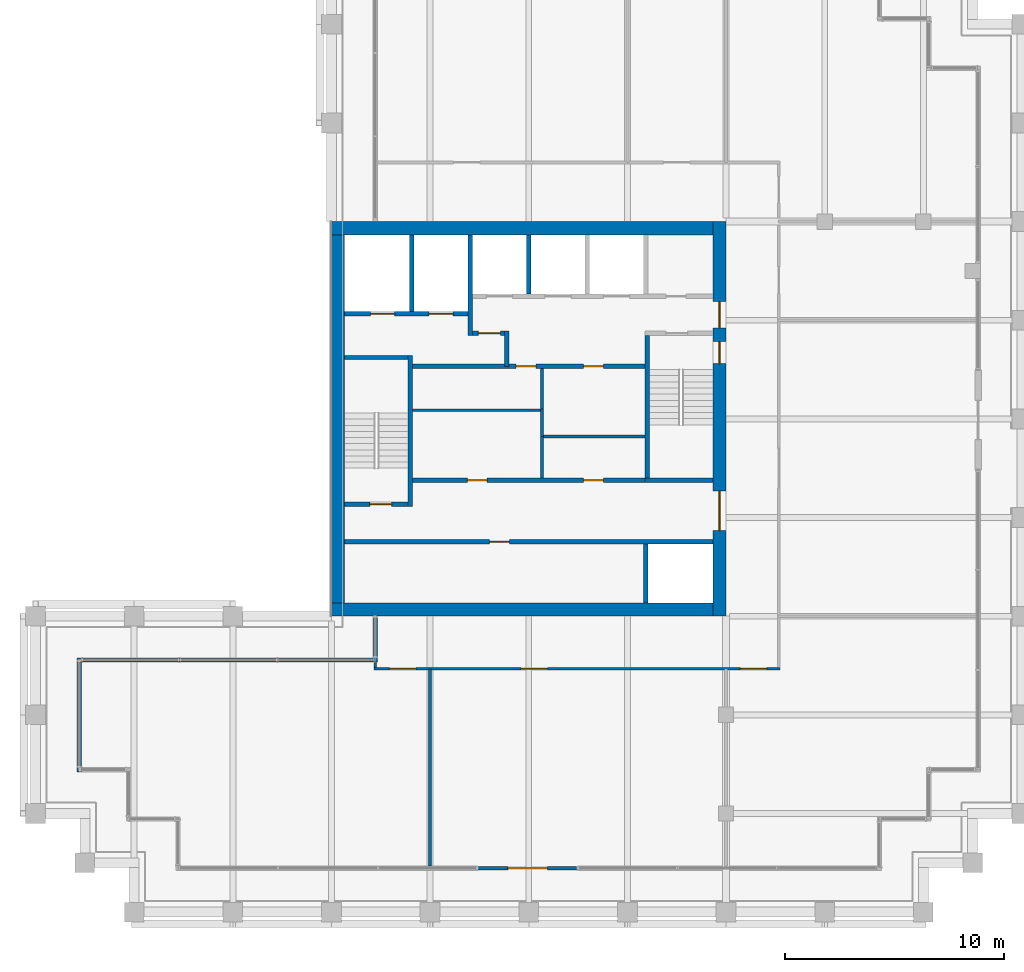
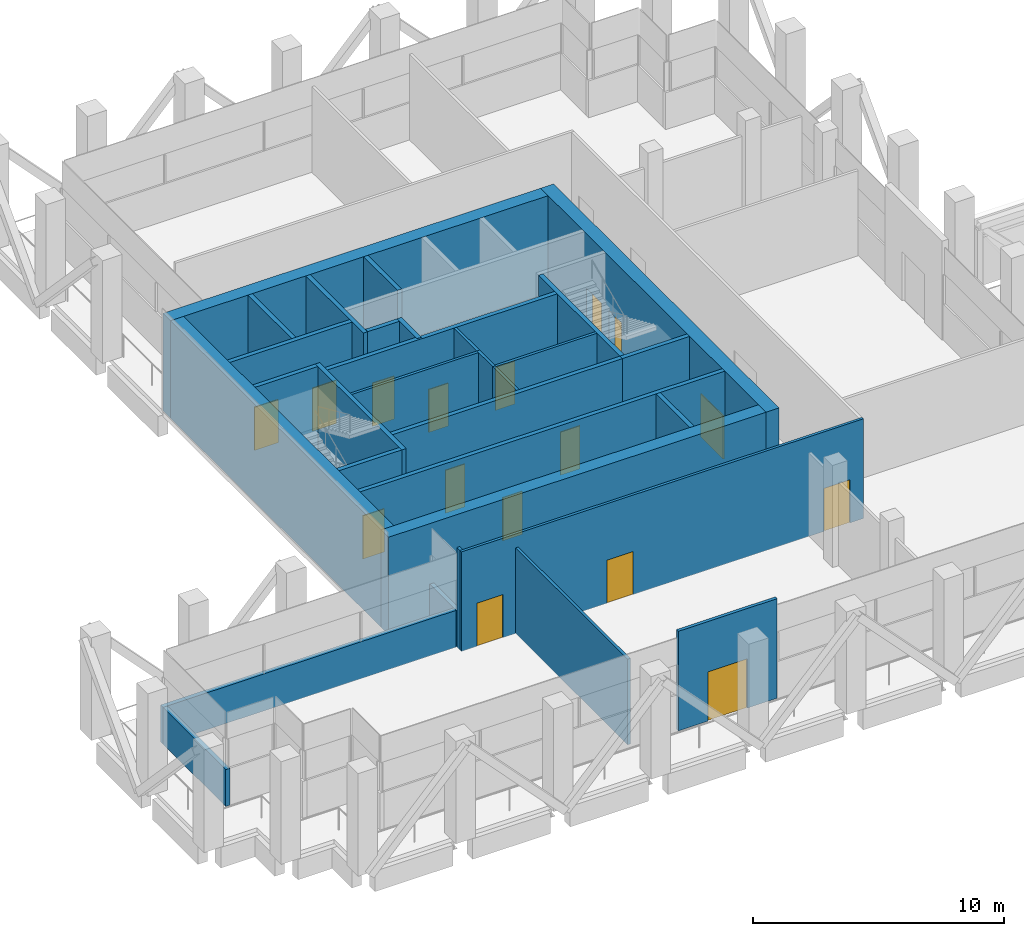
# One storey, part 28 of 34: 31 walls, 16 doors, 16 openings.
"""IFC4 building model written with IfcOpenShell, lengths in metres."""

from ifc_helpers import new_model, si_unit, direction, frame, frame_2d, origin, place, context, subcontext, project, spatial, rectangle, extrude, material, layer, layer_set, type_object, element, fill, save


model = new_model("IFC4")

# Units and contexts
model_context = context("Model", 3, precision=1e-05, world=origin(), true_north=direction((0.0, 1.0)))
body_context = subcontext(model_context, "Body", "Model", "MODEL_VIEW")
ifc_project = project(units=[si_unit("LENGTHUNIT", "METRE"), si_unit("AREAUNIT", "SQUARE_METRE"), si_unit("VOLUMEUNIT", "CUBIC_METRE"), si_unit("PLANEANGLEUNIT", "RADIAN"), si_unit("MASSUNIT", "GRAM", prefix="KILO")], contexts=[model_context])

# Site, building, storey
site_placement = place(None, origin())
site = spatial("IfcSite", under=ifc_project, at=site_placement, CompositionType="ELEMENT")
building_placement = place(site_placement, origin())
building = spatial("IfcBuilding", under=site, at=building_placement, Name="Altepetl Exchange Towers", CompositionType="ELEMENT")
storey_placement = place(building_placement, frame((0.0, 0.0, 190.60009765625)))
storey = spatial("IfcBuildingStorey", under=building, at=storey_placement, Name="L48 Refuge", CompositionType="ELEMENT", Elevation=190.60009765625)

# Wall, openings, doors
ifc_material_1 = material(Name="Concrete C70/85", Category="concrete")
ifc_layer_1 = layer(ifc_material_1, 0.60009765625)
ifc_layer_set_1 = layer_set([ifc_layer_1], Name="Concrete C70/85")
wall_type_1 = type_object("IfcWallType", Name="Core wall 600 reinforced concrete", PredefinedType="SHEAR", material=ifc_layer_set_1)
wall_1_placement = place(storey_placement, frame((58.199951171875, 40.5, 0.0), z_axis=(0.0, 0.0, 1.0), x_axis=(0.0, 1.0, 0.0)))
wall_1 = element("IfcWall", 1, at=wall_1_placement, inside=storey, type_object=wall_type_1, Name="wall:A:L48:K-coreE", PredefinedType="SHEAR", context=body_context, shape_type="SweptSolid", body=[
    extrude(rectangle(XDim=18.0, YDim=0.60009765625, at=frame_2d((9.0, 0.0))), origin(), (0.0, 0.0, 1.0), 4.75),
])
opening_1_placement = place(wall_1_placement, frame((13.14990234375, 0.0, 0.0)))
opening_1 = element("IfcOpeningElement", 2, at=opening_1_placement, cuts=wall_1, Name="Opening L48.A60", PredefinedType="OPENING", context=body_context, shape_type="SweptSolid", body=[
    extrude(rectangle(XDim=1.199951171875, YDim=2.10009765625, at=frame_2d((0.60009765625, 1.050048828125))), frame((0.0, 0.31005859375, 0.0), z_axis=(0.0, -1.0, 0.0), x_axis=(1.0, 0.0, 0.0)), (0.0, 0.0, 1.0), 0.6201171875),
])
opening_2_placement = place(wall_1_placement, frame((3.89990234375, 0.0, 0.0)))
opening_2 = element("IfcOpeningElement", 3, at=opening_2_placement, cuts=wall_1, Name="Opening L48.A61", PredefinedType="OPENING", context=body_context, shape_type="SweptSolid", body=[
    extrude(rectangle(XDim=1.800048828125, YDim=2.10009765625, at=frame_2d((0.89990234375, 1.050048828125))), frame((0.0, 0.31005859375, 0.0), z_axis=(0.0, -1.0, 0.0), x_axis=(1.0, 0.0, 0.0)), (0.0, 0.0, 1.0), 0.6201171875),
])
opening_3_placement = place(wall_1_placement, frame((11.52490234375, 0.0, 0.0)))
opening_3 = element("IfcOpeningElement", 4, at=opening_3_placement, cuts=wall_1, Name="Opening L48.A64", PredefinedType="OPENING", context=body_context, shape_type="SweptSolid", body=[
    extrude(rectangle(XDim=1.0, YDim=2.10009765625, at=frame_2d((0.5, 1.050048828125))), frame((0.0, 0.31005859375, 0.0), z_axis=(0.0, -1.0, 0.0), x_axis=(1.0, 0.0, 0.0)), (0.0, 0.0, 1.0), 0.6201171875),
])
ifc_material_2 = material(Name="Steel and timber fire door", Category="steel")
door_type_1 = type_object("IfcDoorType", Name="Fire door 1000 x 2100 stair and lobby", OperationType="SINGLE_SWING_LEFT", PredefinedType="DOOR", material=ifc_material_2)
door_1_placement = place(opening_3_placement, origin())
door_1 = element("IfcDoor", 5, at=door_1_placement, inside=storey, type_object=door_type_1, Name="door:A:L48:K-dS2x", OperationType="SINGLE_SWING_RIGHT", OverallHeight=2.10009765625, OverallWidth=1.0, PredefinedType="DOOR", context=body_context, shape_type="SweptSolid", body=[
    extrude(rectangle(XDim=1.0, YDim=2.10009765625, at=frame_2d((0.5, 1.050048828125))), frame((0.0, 0.02490234375, 0.0), z_axis=(0.0, -1.0, 0.0), x_axis=(1.0, 0.0, 0.0)), (0.0, 0.0, 1.0), 0.050048828125),
])
fill(opening_3, door_1)
door_type_2 = type_object("IfcDoorType", Name="Fire door 1200 x 2100 lobby entry", OperationType="SINGLE_SWING_LEFT", PredefinedType="DOOR", material=ifc_material_2)
door_2_placement = place(opening_1_placement, origin())
door_2 = element("IfcDoor", 6, at=door_2_placement, inside=storey, type_object=door_type_2, Name="door:A:L48:K-dLNE", OperationType="SINGLE_SWING_RIGHT", OverallHeight=2.10009765625, OverallWidth=1.199951171875, PredefinedType="DOOR", context=body_context, shape_type="SweptSolid", body=[
    extrude(rectangle(XDim=1.199951171875, YDim=2.10009765625, at=frame_2d((0.60009765625, 1.050048828125))), frame((0.0, 0.02490234375, 0.0), z_axis=(0.0, -1.0, 0.0), x_axis=(1.0, 0.0, 0.0)), (0.0, 0.0, 1.0), 0.050048828125),
])
fill(opening_1, door_2)
door_type_3 = type_object("IfcDoorType", Name="Fire door 1800 x 2100 lobby entry", OperationType="DOUBLE_DOOR_SINGLE_SWING", PredefinedType="DOOR", material=ifc_material_2)
door_3_placement = place(opening_2_placement, origin())
door_3 = element("IfcDoor", 7, at=door_3_placement, inside=storey, type_object=door_type_3, Name="door:A:L48:K-dLSE", OperationType="DOUBLE_DOOR_SINGLE_SWING", OverallHeight=2.10009765625, OverallWidth=1.800048828125, PredefinedType="DOOR", context=body_context, shape_type="SweptSolid", body=[
    extrude(rectangle(XDim=1.800048828125, YDim=2.10009765625, at=frame_2d((0.89990234375, 1.050048828125))), frame((0.0, 0.02490234375, 0.0), z_axis=(0.0, -1.0, 0.0), x_axis=(1.0, 0.0, 0.0)), (0.0, 0.0, 1.0), 0.050048828125),
])
fill(opening_2, door_3)

# Walls
for number, where, name in (
    (8, (40.5, 58.199951171875, 0.0), "wall:A:L48:K-coreN"),
    (9, (40.5, 40.800048828125, 0.0), "wall:A:L48:K-coreS"),
):
    element("IfcWall", number, at=place(storey_placement, frame(where)), inside=storey, type_object=wall_type_1, Name=name, PredefinedType="SHEAR", context=body_context, shape_type="SweptSolid", body=[
        extrude(rectangle(XDim=17.39990234375, YDim=0.60009765625, at=frame_2d((8.699951171875, 0.0))), origin(), (0.0, 0.0, 1.0), 4.75),
    ])
ifc_layer_2 = layer(ifc_material_1, 0.60009765625)
ifc_layer_set_2 = layer_set([ifc_layer_2], Name="Concrete C70/85")
wall_type_2 = type_object("IfcWallType", Name="Core wall 600 reinforced concrete external", PredefinedType="SHEAR", material=ifc_layer_set_2)
wall_2_placement = place(storey_placement, frame((40.800048828125, 41.10009765625, 0.0), z_axis=(0.0, 0.0, 1.0), x_axis=(0.0, 1.0, 0.0)))
element("IfcWall", 10, at=wall_2_placement, inside=storey, type_object=wall_type_2, Name="wall:A:L48:K-coreW", PredefinedType="SHEAR", context=body_context, shape_type="SweptSolid", body=[
    extrude(rectangle(XDim=16.7998046875, YDim=0.60009765625, at=frame_2d((8.39990234375, 0.0))), origin(), (0.0, 0.0, 1.0), 4.75),
])

# Wall, opening, door
ifc_material_3 = material(Name="Aluminium composite cladding", Category="aluminium")
ifc_layer_3 = layer(ifc_material_3, 0.14990234375)
ifc_layer_set_3 = layer_set([ifc_layer_3], Name="Aluminium composite cladding")
wall_type_3 = type_object("IfcWallType", Name="Infill wall 150 aluminium panel", PredefinedType="SOLIDWALL", material=ifc_layer_set_3)
wall_3_placement = place(storey_placement, frame((47.17138671875, 29.0, 0.0)))
wall_3 = element("IfcWall", 11, at=wall_3_placement, inside=storey, type_object=wall_type_3, Name="Loggia door bay wall", PredefinedType="SOLIDWALL", context=body_context, shape_type="SweptSolid", body=[
    extrude(rectangle(XDim=4.55712890625, YDim=0.14990234375, at=frame_2d((2.278564453125, 0.0))), origin(), (0.0, 0.0, 1.0), 4.849853515625),
])
opening_4_placement = place(wall_3_placement, frame((1.378662109375, 0.0, 0.0)))
opening_4 = element("IfcOpeningElement", 12, at=opening_4_placement, cuts=wall_3, Name="Opening L48.A90", PredefinedType="OPENING", context=body_context, shape_type="SweptSolid", body=[
    extrude(rectangle(XDim=1.800048828125, YDim=2.39990234375, at=frame_2d((0.89990234375, 1.199951171875))), frame((0.0, 0.0849609375, 0.0), z_axis=(0.0, -1.0, 0.0), x_axis=(1.0, 0.0, 0.0)), (0.0, 0.0, 1.0), 0.169921875),
])
ifc_material_4 = material(Name="Aluminium 6063-T6 and glass", Category="aluminium")
door_type_4 = type_object("IfcDoorType", Name="Glazed door pair 1800x2400", OperationType="DOUBLE_DOOR_DOUBLE_SWING", PredefinedType="NOTDEFINED", material=ifc_material_4)
door_4_placement = place(opening_4_placement, frame((1.800048828125, 0.0, 0.0), x_axis=(-1.0, 0.0, 0.0)))
door_4 = element("IfcDoor", 13, at=door_4_placement, inside=storey, type_object=door_type_4, Name="Loggia door", OperationType="DOUBLE_DOOR_DOUBLE_SWING", OverallHeight=2.39990234375, OverallWidth=1.800048828125, PredefinedType="NOTDEFINED", context=body_context, shape_type="SweptSolid", body=[
    extrude(rectangle(XDim=1.800048828125, YDim=2.39990234375, at=frame_2d((0.89990234375, 1.199951171875))), frame((0.0, 0.02490234375, 0.0), z_axis=(0.0, -1.0, 0.0), x_axis=(1.0, 0.0, 0.0)), (0.0, 0.0, 1.0), 0.050048828125),
])
fill(opening_4, door_4)

# Wall
ifc_material_5 = material(Name="Concrete blockwork", Category="masonry")
ifc_layer_4 = layer(ifc_material_5, 0.199951171875)
ifc_layer_set_4 = layer_set([ifc_layer_4], Name="Concrete blockwork")
wall_type_4 = type_object("IfcWallType", Name="Lobby wall 200 blockwork", PredefinedType="PARTITIONING", material=ifc_layer_set_4)
wall_4_placement = place(storey_placement, frame((48.5, 51.89990234375, 0.0), z_axis=(0.0, 0.0, 1.0), x_axis=(0.0, 1.0, 0.0)))
element("IfcWall", 14, at=wall_4_placement, inside=storey, type_object=wall_type_4, Name="wall:A:L48:K-ffE", PredefinedType="PARTITIONING", context=body_context, shape_type="SweptSolid", body=[
    extrude(rectangle(XDim=1.60009765625, YDim=0.199951171875, at=frame_2d((0.800048828125, 0.0))), origin(), (0.0, 0.0, 1.0), 4.75),
])

# Wall, opening, door
wall_5_placement = place(storey_placement, frame((46.933349609375, 53.39990234375, 0.0)))
wall_5 = element("IfcWall", 15, at=wall_5_placement, inside=storey, type_object=wall_type_4, Name="wall:A:L48:K-ffN", PredefinedType="PARTITIONING", context=body_context, shape_type="SweptSolid", body=[
    extrude(rectangle(XDim=1.466552734375, YDim=0.199951171875, at=frame_2d((0.7333984375, 0.0))), origin(), (0.0, 0.0, 1.0), 4.75),
])
opening_5_placement = place(wall_5_placement, frame((0.2666015625, 0.0, 0.0)))
opening_5 = element("IfcOpeningElement", 16, at=opening_5_placement, cuts=wall_5, Name="Opening L48.A65", PredefinedType="OPENING", context=body_context, shape_type="SweptSolid", body=[
    extrude(rectangle(XDim=1.0, YDim=2.10009765625, at=frame_2d((0.5, 1.050048828125))), frame((0.0, 0.10986328125, 0.0), z_axis=(0.0, -1.0, 0.0), x_axis=(1.0, 0.0, 0.0)), (0.0, 0.0, 1.0), 0.219970703125),
])
door_5_placement = place(opening_5_placement, frame((1.0, 0.0, 0.0), x_axis=(-1.0, 0.0, 0.0)))
door_5 = element("IfcDoor", 17, at=door_5_placement, inside=storey, type_object=door_type_1, Name="door:A:L48:K-dffN", OperationType="SINGLE_SWING_RIGHT", OverallHeight=2.10009765625, OverallWidth=1.0, PredefinedType="DOOR", context=body_context, shape_type="SweptSolid", body=[
    extrude(rectangle(XDim=1.0, YDim=2.10009765625, at=frame_2d((0.5, 1.050048828125))), frame((0.0, 0.02490234375, 0.0), z_axis=(0.0, -1.0, 0.0), x_axis=(1.0, 0.0, 0.0)), (0.0, 0.0, 1.0), 0.050048828125),
])
fill(opening_5, door_5)

# Wall, openings, doors
wall_6_placement = place(storey_placement, frame((44.199951171875, 51.89990234375, 0.0)))
wall_6 = element("IfcWall", 18, at=wall_6_placement, inside=storey, type_object=wall_type_4, Name="wall:A:L48:K-zoneN", PredefinedType="PARTITIONING", context=body_context, shape_type="SweptSolid", body=[
    extrude(rectangle(XDim=10.60009765625, YDim=0.199951171875, at=frame_2d((5.300048828125, 0.0))), origin(), (0.0, 0.0, 1.0), 4.75),
])
opening_6_placement = place(wall_6_placement, frame((4.72509765625, 0.0, 0.0)))
opening_6 = element("IfcOpeningElement", 19, at=opening_6_placement, cuts=wall_6, Name="Opening L48.A69", PredefinedType="OPENING", context=body_context, shape_type="SweptSolid", body=[
    extrude(rectangle(XDim=0.89990234375, YDim=2.10009765625, at=frame_2d((0.449951171875, 1.050048828125))), frame((0.0, 0.10986328125, 0.0), z_axis=(0.0, -1.0, 0.0), x_axis=(1.0, 0.0, 0.0)), (0.0, 0.0, 1.0), 0.219970703125),
])
opening_7_placement = place(wall_6_placement, frame((7.800048828125, 0.0, 0.0)))
opening_7 = element("IfcOpeningElement", 20, at=opening_7_placement, cuts=wall_6, Name="Opening L48.A71", PredefinedType="OPENING", context=body_context, shape_type="SweptSolid", body=[
    extrude(rectangle(XDim=0.89990234375, YDim=2.10009765625, at=frame_2d((0.449951171875, 1.050048828125))), frame((0.0, 0.10986328125, 0.0), z_axis=(0.0, -1.0, 0.0), x_axis=(1.0, 0.0, 0.0)), (0.0, 0.0, 1.0), 0.219970703125),
])
door_type_5 = type_object("IfcDoorType", Name="Fire door 900 x 2100 service room", OperationType="SINGLE_SWING_LEFT", PredefinedType="DOOR", material=ifc_material_2)
door_6_placement = place(opening_6_placement, frame((0.89990234375, 0.0, 0.0), x_axis=(-1.0, 0.0, 0.0)))
door_6 = element("IfcDoor", 21, at=door_6_placement, inside=storey, type_object=door_type_5, Name="door:A:L48:K-dz2", OperationType="SINGLE_SWING_RIGHT", OverallHeight=2.10009765625, OverallWidth=0.89990234375, PredefinedType="DOOR", context=body_context, shape_type="SweptSolid", body=[
    extrude(rectangle(XDim=0.89990234375, YDim=2.10009765625, at=frame_2d((0.449951171875, 1.050048828125))), frame((0.0, 0.02490234375, 0.0), z_axis=(0.0, -1.0, 0.0), x_axis=(1.0, 0.0, 0.0)), (0.0, 0.0, 1.0), 0.050048828125),
])
fill(opening_6, door_6)
door_7_placement = place(opening_7_placement, frame((0.89990234375, 0.0, 0.0), x_axis=(-1.0, 0.0, 0.0)))
door_7 = element("IfcDoor", 22, at=door_7_placement, inside=storey, type_object=door_type_5, Name="door:A:L48:K-dz4", OperationType="SINGLE_SWING_LEFT", OverallHeight=2.10009765625, OverallWidth=0.89990234375, PredefinedType="DOOR", context=body_context, shape_type="SweptSolid", body=[
    extrude(rectangle(XDim=0.89990234375, YDim=2.10009765625, at=frame_2d((0.449951171875, 1.050048828125))), frame((0.0, 0.02490234375, 0.0), z_axis=(0.0, -1.0, 0.0), x_axis=(1.0, 0.0, 0.0)), (0.0, 0.0, 1.0), 0.050048828125),
])
fill(opening_7, door_7)

wall_7_placement = place(storey_placement, frame((44.199951171875, 46.699951171875, 0.0)))
wall_7 = element("IfcWall", 23, at=wall_7_placement, inside=storey, type_object=wall_type_4, Name="wall:A:L48:K-zoneS", PredefinedType="PARTITIONING", context=body_context, shape_type="SweptSolid", body=[
    extrude(rectangle(XDim=10.60009765625, YDim=0.199951171875, at=frame_2d((5.300048828125, 0.0))), origin(), (0.0, 0.0, 1.0), 4.75),
])
opening_8_placement = place(wall_7_placement, frame((2.5, 0.0, 0.0)))
opening_8 = element("IfcOpeningElement", 24, at=opening_8_placement, cuts=wall_7, Name="Opening L48.A68", PredefinedType="OPENING", context=body_context, shape_type="SweptSolid", body=[
    extrude(rectangle(XDim=0.89990234375, YDim=2.10009765625, at=frame_2d((0.449951171875, 1.050048828125))), frame((0.0, 0.10986328125, 0.0), z_axis=(0.0, -1.0, 0.0), x_axis=(1.0, 0.0, 0.0)), (0.0, 0.0, 1.0), 0.219970703125),
])
opening_9_placement = place(wall_7_placement, frame((7.800048828125, 0.0, 0.0)))
opening_9 = element("IfcOpeningElement", 25, at=opening_9_placement, cuts=wall_7, Name="Opening L48.A70", PredefinedType="OPENING", context=body_context, shape_type="SweptSolid", body=[
    extrude(rectangle(XDim=0.89990234375, YDim=2.10009765625, at=frame_2d((0.449951171875, 1.050048828125))), frame((0.0, 0.10986328125, 0.0), z_axis=(0.0, -1.0, 0.0), x_axis=(1.0, 0.0, 0.0)), (0.0, 0.0, 1.0), 0.219970703125),
])
door_8_placement = place(opening_8_placement, origin())
door_8 = element("IfcDoor", 26, at=door_8_placement, inside=storey, type_object=door_type_5, Name="door:A:L48:K-dz1", OperationType="SINGLE_SWING_RIGHT", OverallHeight=2.10009765625, OverallWidth=0.89990234375, PredefinedType="DOOR", context=body_context, shape_type="SweptSolid", body=[
    extrude(rectangle(XDim=0.89990234375, YDim=2.10009765625, at=frame_2d((0.449951171875, 1.050048828125))), frame((0.0, 0.02490234375, 0.0), z_axis=(0.0, -1.0, 0.0), x_axis=(1.0, 0.0, 0.0)), (0.0, 0.0, 1.0), 0.050048828125),
])
fill(opening_8, door_8)
door_9_placement = place(opening_9_placement, origin())
door_9 = element("IfcDoor", 27, at=door_9_placement, inside=storey, type_object=door_type_5, Name="door:A:L48:K-dz3", OperationType="SINGLE_SWING_RIGHT", OverallHeight=2.10009765625, OverallWidth=0.89990234375, PredefinedType="DOOR", context=body_context, shape_type="SweptSolid", body=[
    extrude(rectangle(XDim=0.89990234375, YDim=2.10009765625, at=frame_2d((0.449951171875, 1.050048828125))), frame((0.0, 0.02490234375, 0.0), z_axis=(0.0, -1.0, 0.0), x_axis=(1.0, 0.0, 0.0)), (0.0, 0.0, 1.0), 0.050048828125),
])
fill(opening_9, door_9)

# Walls
ifc_material_6 = material(Name="Gypsum board on steel studs", Category="steel")
ifc_layer_5 = layer(ifc_material_6, 0.125)
ifc_layer_set_5 = layer_set([ifc_layer_5], Name="Gypsum board on steel studs")
wall_type_5 = type_object("IfcWallType", Name="Partition 125 gypsum board on steel studs", PredefinedType="PARTITIONING", material=ifc_layer_set_5)
wall_8_placement = place(storey_placement, frame((50.10009765625, 46.800048828125, 0.0), z_axis=(0.0, 0.0, 1.0), x_axis=(0.0, 1.0, 0.0)))
element("IfcWall", 28, at=wall_8_placement, inside=storey, type_object=wall_type_5, Name="wall:A:L48:K-zp1", PredefinedType="PARTITIONING", context=body_context, shape_type="SweptSolid", body=[
    extrude(rectangle(XDim=1.96240234375, YDim=0.125, at=frame_2d((0.981201171875, 0.0))), origin(), (0.0, 0.0, 1.0), 4.75),
])
wall_9_placement = place(storey_placement, frame((54.800048828125, 48.699951171875, 0.0), z_axis=(0.0, 0.0, 1.0), x_axis=(-1.0, 0.0, 0.0)))
element("IfcWall", 29, at=wall_9_placement, inside=storey, type_object=wall_type_5, Name="wall:A:L48:K-zp2", PredefinedType="PARTITIONING", context=body_context, shape_type="SweptSolid", body=[
    extrude(rectangle(XDim=4.637451171875, YDim=0.125, at=frame_2d((2.31884765625, 0.0))), origin(), (0.0, 0.0, 1.0), 4.75),
])
wall_10_placement = place(storey_placement, frame((50.10009765625, 48.699951171875, 0.0), z_axis=(0.0, 0.0, 1.0), x_axis=(0.0, 1.0, 0.0)))
element("IfcWall", 30, at=wall_10_placement, inside=storey, type_object=wall_type_5, Name="wall:A:L48:K-zp3", PredefinedType="PARTITIONING", context=body_context, shape_type="SweptSolid", body=[
    extrude(rectangle(XDim=1.262451171875, YDim=0.125, at=frame_2d((0.63134765625, 0.0))), origin(), (0.0, 0.0, 1.0), 4.75),
])
wall_11_placement = place(storey_placement, frame((50.03759765625, 49.89990234375, 0.0), z_axis=(0.0, 0.0, 1.0), x_axis=(-1.0, 0.0, 0.0)))
element("IfcWall", 31, at=wall_11_placement, inside=storey, type_object=wall_type_5, Name="wall:A:L48:K-zp4", PredefinedType="PARTITIONING", context=body_context, shape_type="SweptSolid", body=[
    extrude(rectangle(XDim=5.837646484375, YDim=0.125, at=frame_2d((2.9189453125, 0.0))), origin(), (0.0, 0.0, 1.0), 4.75),
])
wall_12_placement = place(storey_placement, frame((50.10009765625, 49.89990234375, 0.0), z_axis=(0.0, 0.0, 1.0), x_axis=(0.0, 1.0, 0.0)))
element("IfcWall", 32, at=wall_12_placement, inside=storey, type_object=wall_type_5, Name="wall:A:L48:K-zp5", PredefinedType="PARTITIONING", context=body_context, shape_type="SweptSolid", body=[
    extrude(rectangle(XDim=1.900146484375, YDim=0.125, at=frame_2d((0.9501953125, 0.0))), origin(), (0.0, 0.0, 1.0), 4.75),
])

# Wall, openings, doors
wall_13_placement = place(storey_placement, frame((42.4375, 38.10009765625, 0.0)))
wall_13 = element("IfcWall", 33, at=wall_13_placement, inside=storey, type_object=wall_type_5, Name="wall:A:L48:P01", PredefinedType="PARTITIONING", context=body_context, shape_type="SweptSolid", body=[
    extrude(rectangle(XDim=18.52490234375, YDim=0.125, at=frame_2d((9.262451171875, 0.0))), origin(), (0.0, 0.0, 1.0), 4.849853515625),
])
opening_10_placement = place(wall_13_placement, frame((0.71240234375, 0.0, 0.0)))
opening_10 = element("IfcOpeningElement", 34, at=opening_10_placement, cuts=wall_13, Name="Opening L48.A01", PredefinedType="OPENING", context=body_context, shape_type="SweptSolid", body=[
    extrude(rectangle(XDim=1.199951171875, YDim=2.10009765625, at=frame_2d((0.60009765625, 1.050048828125))), frame((0.0, 0.072509765625, 0.0), z_axis=(0.0, -1.0, 0.0), x_axis=(1.0, 0.0, 0.0)), (0.0, 0.0, 1.0), 0.14501953125),
])
opening_11_placement = place(wall_13_placement, frame((6.717529296875, 0.0, 0.0)))
opening_11 = element("IfcOpeningElement", 35, at=opening_11_placement, cuts=wall_13, Name="Opening L48.A02", PredefinedType="OPENING", context=body_context, shape_type="SweptSolid", body=[
    extrude(rectangle(XDim=1.199951171875, YDim=2.10009765625, at=frame_2d((0.60009765625, 1.050048828125))), frame((0.0, 0.072509765625, 0.0), z_axis=(0.0, -1.0, 0.0), x_axis=(1.0, 0.0, 0.0)), (0.0, 0.0, 1.0), 0.14501953125),
])
opening_12_placement = place(wall_13_placement, frame((16.715576171875, 0.0, 0.0)))
opening_12 = element("IfcOpeningElement", 36, at=opening_12_placement, cuts=wall_13, Name="Opening L48.A03", PredefinedType="OPENING", context=body_context, shape_type="SweptSolid", body=[
    extrude(rectangle(XDim=1.199951171875, YDim=2.10009765625, at=frame_2d((0.60009765625, 1.050048828125))), frame((0.0, 0.072509765625, 0.0), z_axis=(0.0, -1.0, 0.0), x_axis=(1.0, 0.0, 0.0)), (0.0, 0.0, 1.0), 0.14501953125),
])
door_type_6 = type_object("IfcDoorType", Name="Fire door 1200 x 2100 plant and refuge", OperationType="SINGLE_SWING_LEFT", PredefinedType="DOOR", material=ifc_material_2)
door_10_placement = place(opening_10_placement, frame((1.199951171875, 0.0, 0.0), x_axis=(-1.0, 0.0, 0.0)))
door_10 = element("IfcDoor", 37, at=door_10_placement, inside=storey, type_object=door_type_6, Name="door:A:L48:01", OperationType="SINGLE_SWING_RIGHT", OverallHeight=2.10009765625, OverallWidth=1.199951171875, PredefinedType="DOOR", context=body_context, shape_type="SweptSolid", body=[
    extrude(rectangle(XDim=1.199951171875, YDim=2.10009765625, at=frame_2d((0.60009765625, 1.050048828125))), frame((0.0, 0.02490234375, 0.0), z_axis=(0.0, -1.0, 0.0), x_axis=(1.0, 0.0, 0.0)), (0.0, 0.0, 1.0), 0.050048828125),
])
fill(opening_10, door_10)
door_11_placement = place(opening_11_placement, frame((1.199951171875, 0.0, 0.0), x_axis=(-1.0, 0.0, 0.0)))
door_11 = element("IfcDoor", 38, at=door_11_placement, inside=storey, type_object=door_type_6, Name="door:A:L48:02", OperationType="SINGLE_SWING_LEFT", OverallHeight=2.10009765625, OverallWidth=1.199951171875, PredefinedType="DOOR", context=body_context, shape_type="SweptSolid", body=[
    extrude(rectangle(XDim=1.199951171875, YDim=2.10009765625, at=frame_2d((0.60009765625, 1.050048828125))), frame((0.0, 0.02490234375, 0.0), z_axis=(0.0, -1.0, 0.0), x_axis=(1.0, 0.0, 0.0)), (0.0, 0.0, 1.0), 0.050048828125),
])
fill(opening_11, door_11)
door_12_placement = place(opening_12_placement, frame((1.199951171875, 0.0, 0.0), x_axis=(-1.0, 0.0, 0.0)))
door_12 = element("IfcDoor", 39, at=door_12_placement, inside=storey, type_object=door_type_6, Name="door:A:L48:03", OperationType="SINGLE_SWING_LEFT", OverallHeight=2.10009765625, OverallWidth=1.199951171875, PredefinedType="DOOR", context=body_context, shape_type="SweptSolid", body=[
    extrude(rectangle(XDim=1.199951171875, YDim=2.10009765625, at=frame_2d((0.60009765625, 1.050048828125))), frame((0.0, 0.02490234375, 0.0), z_axis=(0.0, -1.0, 0.0), x_axis=(1.0, 0.0, 0.0)), (0.0, 0.0, 1.0), 0.050048828125),
])
fill(opening_12, door_12)

# Walls
wall_14_placement = place(storey_placement, frame((42.5, 38.16259765625, 0.0), z_axis=(0.0, 0.0, 1.0), x_axis=(0.0, 1.0, 0.0)))
element("IfcWall", 40, at=wall_14_placement, inside=storey, type_object=wall_type_5, Name="wall:A:L48:P08", PredefinedType="PARTITIONING", context=body_context, shape_type="SweptSolid", body=[
    extrude(rectangle(XDim=0.2373046875, YDim=0.125, at=frame_2d((0.11865234375, 0.0))), origin(), (0.0, 0.0, 1.0), 4.849853515625),
])
wall_15_placement = place(storey_placement, frame((45.0, 29.10009765625, 0.0), z_axis=(0.0, 0.0, 1.0), x_axis=(0.0, 1.0, 0.0)))
element("IfcWall", 41, at=wall_15_placement, inside=storey, type_object=wall_type_5, Name="wall:A:L48:P09", PredefinedType="PARTITIONING", context=body_context, shape_type="SweptSolid", body=[
    extrude(rectangle(XDim=9.0, YDim=0.125, at=frame_2d((4.5, 0.0))), origin(), (0.0, 0.0, 1.0), 4.171875),
])
ifc_material_7 = material(Name="Cantera limestone cladding", Category="masonry")
ifc_layer_6 = layer(ifc_material_7, 0.199951171875)
ifc_layer_set_6 = layer_set([ifc_layer_6], Name="Cantera limestone cladding")
wall_type_6 = type_object("IfcWallType", Name="Refuge stone wall 200", PredefinedType="ELEMENTEDWALL", material=ifc_layer_set_6)
wall_16_placement = place(storey_placement, frame((42.5, 40.5, 0.0), z_axis=(0.0, 0.0, 1.0), x_axis=(0.0, -1.0, 0.0)))
element("IfcWall", 42, at=wall_16_placement, inside=storey, type_object=wall_type_6, Name="Refuge stone wall", PredefinedType="ELEMENTEDWALL", context=body_context, shape_type="SweptSolid", body=[
    extrude(rectangle(XDim=2.10009765625, YDim=0.199951171875, at=frame_2d((1.050048828125, 0.0))), origin(), (0.0, 0.0, 1.0), 1.7998046875),
])
wall_17_placement = place(storey_placement, frame((42.39990234375, 38.5, 0.0), z_axis=(0.0, 0.0, 1.0), x_axis=(-1.0, 0.0, 0.0)))
element("IfcWall", 43, at=wall_17_placement, inside=storey, type_object=wall_type_6, Name="Refuge stone wall", PredefinedType="ELEMENTEDWALL", context=body_context, shape_type="SweptSolid", body=[
    extrude(rectangle(XDim=13.5, YDim=0.199951171875, at=frame_2d((6.75, 0.0))), origin(), (0.0, 0.0, 1.0), 1.7998046875),
])
wall_18_placement = place(storey_placement, frame((29.0, 38.39990234375, 0.0), z_axis=(0.0, 0.0, 1.0), x_axis=(0.0, -1.0, 0.0)))
element("IfcWall", 44, at=wall_18_placement, inside=storey, type_object=wall_type_6, Name="Refuge stone wall", PredefinedType="ELEMENTEDWALL", context=body_context, shape_type="SweptSolid", body=[
    extrude(rectangle(XDim=5.0, YDim=0.199951171875, at=frame_2d((2.5, 0.0))), origin(), (0.0, 0.0, 1.0), 1.7998046875),
])
ifc_material_8 = material(Name="Concrete C40/50", Category="concrete")
ifc_layer_7 = layer(ifc_material_8, 0.199951171875)
ifc_layer_set_7 = layer_set([ifc_layer_7], Name="Concrete C40/50")
wall_type_7 = type_object("IfcWallType", Name="Shaft wall 200 reinforced concrete", PredefinedType="SHEAR", material=ifc_layer_set_7)
wall_19_placement = place(storey_placement, frame((44.166748046875, 57.89990234375, 0.0), z_axis=(0.0, 0.0, 1.0), x_axis=(0.0, -1.0, 0.0)))
element("IfcWall", 45, at=wall_19_placement, inside=storey, type_object=wall_type_7, Name="wall:A:L48:K-divN1", PredefinedType="SHEAR", context=body_context, shape_type="SweptSolid", body=[
    extrude(rectangle(XDim=3.5, YDim=0.199951171875, at=frame_2d((1.75, 0.0))), origin(), (0.0, 0.0, 1.0), 4.75),
])
wall_20_placement = place(storey_placement, frame((46.833251953125, 57.89990234375, 0.0), z_axis=(0.0, 0.0, 1.0), x_axis=(0.0, -1.0, 0.0)))
element("IfcWall", 46, at=wall_20_placement, inside=storey, type_object=wall_type_7, Name="wall:A:L48:K-divN2", PredefinedType="SHEAR", context=body_context, shape_type="SweptSolid", body=[
    extrude(rectangle(XDim=4.599853515625, YDim=0.199951171875, at=frame_2d((2.2998046875, 0.0))), origin(), (0.0, 0.0, 1.0), 4.75),
])
for number, where, z_axis, x_axis, name in (
    (47, (49.5, 57.89990234375, 0.0), (0.0, 0.0, 1.0), (0.0, -1.0, 0.0), "wall:A:L48:K-divN3"),
    (48, (54.833251953125, 41.10009765625, 0.0), (0.0, 0.0, 1.0), (0.0, 1.0, 0.0), "wall:A:L48:K-divS5"),
):
    element("IfcWall", number, at=place(storey_placement, frame(where, z_axis=z_axis, x_axis=x_axis)), inside=storey, type_object=wall_type_7, Name=name, PredefinedType="SHEAR", context=body_context, shape_type="SweptSolid", body=[
        extrude(rectangle(XDim=2.699951171875, YDim=0.199951171875, at=frame_2d((1.35009765625, 0.0))), origin(), (0.0, 0.0, 1.0), 4.75),
    ])

# Wall, openings, doors
wall_21_placement = place(storey_placement, frame((41.10009765625, 54.300048828125, 0.0)))
wall_21 = element("IfcWall", 49, at=wall_21_placement, inside=storey, type_object=wall_type_7, Name="wall:A:L48:K-frontNd", PredefinedType="SHEAR", context=body_context, shape_type="SweptSolid", body=[
    extrude(rectangle(XDim=5.63330078125, YDim=0.199951171875, at=frame_2d((2.816650390625, 0.0))), origin(), (0.0, 0.0, 1.0), 4.75),
])
opening_13_placement = place(wall_21_placement, frame((1.183349609375, 0.0, 0.0)))
opening_13 = element("IfcOpeningElement", 50, at=opening_13_placement, cuts=wall_21, Name="Opening L48.A72", PredefinedType="OPENING", context=body_context, shape_type="SweptSolid", body=[
    extrude(rectangle(XDim=1.10009765625, YDim=2.10009765625, at=frame_2d((0.550048828125, 1.050048828125))), frame((0.0, 0.10986328125, 0.0), z_axis=(0.0, -1.0, 0.0), x_axis=(1.0, 0.0, 0.0)), (0.0, 0.0, 1.0), 0.219970703125),
])
opening_14_placement = place(wall_21_placement, frame((3.85009765625, 0.0, 0.0)))
opening_14 = element("IfcOpeningElement", 51, at=opening_14_placement, cuts=wall_21, Name="Opening L48.A73", PredefinedType="OPENING", context=body_context, shape_type="SweptSolid", body=[
    extrude(rectangle(XDim=1.10009765625, YDim=2.10009765625, at=frame_2d((0.550048828125, 1.050048828125))), frame((0.0, 0.10986328125, 0.0), z_axis=(0.0, -1.0, 0.0), x_axis=(1.0, 0.0, 0.0)), (0.0, 0.0, 1.0), 0.219970703125),
])
ifc_material_9 = material(Name="Stainless steel", Category="steel")
door_type_7 = type_object("IfcDoorType", Name="Lift landing door 1100 x 2100", OperationType="SLIDING_TO_LEFT", PredefinedType="DOOR", material=ifc_material_9)
door_13_placement = place(opening_13_placement, origin())
door_13 = element("IfcDoor", 52, at=door_13_placement, inside=storey, type_object=door_type_7, Name="Landing door FFL1", OperationType="SLIDING_TO_LEFT", OverallHeight=2.10009765625, OverallWidth=1.10009765625, PredefinedType="DOOR", context=body_context, shape_type="SweptSolid", body=[
    extrude(rectangle(XDim=1.10009765625, YDim=2.10009765625, at=frame_2d((0.550048828125, 1.050048828125))), frame((0.0, 0.02490234375, 0.0), z_axis=(0.0, -1.0, 0.0), x_axis=(1.0, 0.0, 0.0)), (0.0, 0.0, 1.0), 0.050048828125),
])
fill(opening_13, door_13)
door_14_placement = place(opening_14_placement, origin())
door_14 = element("IfcDoor", 53, at=door_14_placement, inside=storey, type_object=door_type_7, Name="Landing door FFL2", OperationType="SLIDING_TO_LEFT", OverallHeight=2.10009765625, OverallWidth=1.10009765625, PredefinedType="DOOR", context=body_context, shape_type="SweptSolid", body=[
    extrude(rectangle(XDim=1.10009765625, YDim=2.10009765625, at=frame_2d((0.550048828125, 1.050048828125))), frame((0.0, 0.02490234375, 0.0), z_axis=(0.0, -1.0, 0.0), x_axis=(1.0, 0.0, 0.0)), (0.0, 0.0, 1.0), 0.050048828125),
])
fill(opening_14, door_14)

# Wall, opening, door
wall_22_placement = place(storey_placement, frame((41.10009765625, 43.89990234375, 0.0)))
wall_22 = element("IfcWall", 54, at=wall_22_placement, inside=storey, type_object=wall_type_7, Name="wall:A:L48:K-frontS", PredefinedType="SHEAR", context=body_context, shape_type="SweptSolid", body=[
    extrude(rectangle(XDim=16.7998046875, YDim=0.199951171875, at=frame_2d((8.39990234375, 0.0))), origin(), (0.0, 0.0, 1.0), 4.75),
])
opening_15_placement = place(wall_22_placement, frame((6.61669921875, 0.0, 0.0)))
opening_15 = element("IfcOpeningElement", 55, at=opening_15_placement, cuts=wall_22, Name="Opening L48.A67", PredefinedType="OPENING", context=body_context, shape_type="SweptSolid", body=[
    extrude(rectangle(XDim=0.89990234375, YDim=2.10009765625, at=frame_2d((0.449951171875, 1.050048828125))), frame((0.0, 0.10986328125, 0.0), z_axis=(0.0, -1.0, 0.0), x_axis=(1.0, 0.0, 0.0)), (0.0, 0.0, 1.0), 0.219970703125),
])
door_15_placement = place(opening_15_placement, frame((0.89990234375, 0.0, 0.0), x_axis=(-1.0, 0.0, 0.0)))
door_15 = element("IfcDoor", 56, at=door_15_placement, inside=storey, type_object=door_type_5, Name="door:A:L48:K-dslotS0", OperationType="SINGLE_SWING_LEFT", OverallHeight=2.10009765625, OverallWidth=0.89990234375, PredefinedType="DOOR", context=body_context, shape_type="SweptSolid", body=[
    extrude(rectangle(XDim=0.89990234375, YDim=2.10009765625, at=frame_2d((0.449951171875, 1.050048828125))), frame((0.0, 0.02490234375, 0.0), z_axis=(0.0, -1.0, 0.0), x_axis=(1.0, 0.0, 0.0)), (0.0, 0.0, 1.0), 0.050048828125),
])
fill(opening_15, door_15)

# Walls
ifc_layer_8 = layer(ifc_material_8, 0.199951171875)
ifc_layer_set_8 = layer_set([ifc_layer_8], Name="Concrete C40/50")
wall_type_8 = type_object("IfcWallType", Name="Stair wall 200 reinforced concrete", PredefinedType="SHEAR", material=ifc_layer_set_8)
wall_23_placement = place(storey_placement, frame((44.10009765625, 45.5, 0.0), z_axis=(0.0, 0.0, 1.0), x_axis=(0.0, 1.0, 0.0)))
element("IfcWall", 57, at=wall_23_placement, inside=storey, type_object=wall_type_8, Name="wall:A:L48:K-stS1E", PredefinedType="SHEAR", context=body_context, shape_type="SweptSolid", body=[
    extrude(rectangle(XDim=6.89990234375, YDim=0.199951171875, at=frame_2d((3.449951171875, 0.0))), origin(), (0.0, 0.0, 1.0), 4.75),
])
wall_24_placement = place(storey_placement, frame((41.10009765625, 52.300048828125, 0.0)))
element("IfcWall", 58, at=wall_24_placement, inside=storey, type_object=wall_type_8, Name="wall:A:L48:K-stS1N", PredefinedType="SHEAR", context=body_context, shape_type="SweptSolid", body=[
    extrude(rectangle(XDim=2.89990234375, YDim=0.199951171875, at=frame_2d((1.449951171875, 0.0))), origin(), (0.0, 0.0, 1.0), 4.75),
])

# Wall, opening, door
wall_25_placement = place(storey_placement, frame((41.10009765625, 45.60009765625, 0.0)))
wall_25 = element("IfcWall", 59, at=wall_25_placement, inside=storey, type_object=wall_type_8, Name="wall:A:L48:K-stS1S", PredefinedType="SHEAR", context=body_context, shape_type="SweptSolid", body=[
    extrude(rectangle(XDim=2.89990234375, YDim=0.199951171875, at=frame_2d((1.449951171875, 0.0))), origin(), (0.0, 0.0, 1.0), 4.75),
])
opening_16_placement = place(wall_25_placement, frame((1.14990234375, 0.0, 0.0)))
opening_16 = element("IfcOpeningElement", 60, at=opening_16_placement, cuts=wall_25, Name="Opening L48.A62", PredefinedType="OPENING", context=body_context, shape_type="SweptSolid", body=[
    extrude(rectangle(XDim=1.0, YDim=2.10009765625, at=frame_2d((0.5, 1.050048828125))), frame((0.0, 0.10986328125, 0.0), z_axis=(0.0, -1.0, 0.0), x_axis=(1.0, 0.0, 0.0)), (0.0, 0.0, 1.0), 0.219970703125),
])
door_16_placement = place(opening_16_placement, origin())
door_16 = element("IfcDoor", 61, at=door_16_placement, inside=storey, type_object=door_type_1, Name="door:A:L48:K-dS1in", OperationType="SINGLE_SWING_RIGHT", OverallHeight=2.10009765625, OverallWidth=1.0, PredefinedType="DOOR", context=body_context, shape_type="SweptSolid", body=[
    extrude(rectangle(XDim=1.0, YDim=2.10009765625, at=frame_2d((0.5, 1.050048828125))), frame((0.0, 0.02490234375, 0.0), z_axis=(0.0, -1.0, 0.0), x_axis=(1.0, 0.0, 0.0)), (0.0, 0.0, 1.0), 0.050048828125),
])
fill(opening_16, door_16)

# Walls
wall_26_placement = place(storey_placement, frame((54.800048828125, 46.699951171875, 0.0)))
element("IfcWall", 62, at=wall_26_placement, inside=storey, type_object=wall_type_8, Name="wall:A:L48:K-stS2S", PredefinedType="SHEAR", context=body_context, shape_type="SweptSolid", body=[
    extrude(rectangle(XDim=3.099853515625, YDim=0.199951171875, at=frame_2d((1.5498046875, 0.0))), origin(), (0.0, 0.0, 1.0), 4.75),
])
wall_27_placement = place(storey_placement, frame((54.89990234375, 46.800048828125, 0.0), z_axis=(0.0, 0.0, 1.0), x_axis=(0.0, 1.0, 0.0)))
element("IfcWall", 63, at=wall_27_placement, inside=storey, type_object=wall_type_8, Name="wall:A:L48:K-stS2W", PredefinedType="SHEAR", context=body_context, shape_type="SweptSolid", body=[
    extrude(rectangle(XDim=6.5, YDim=0.199951171875, at=frame_2d((3.25, 0.0))), origin(), (0.0, 0.0, 1.0), 4.75),
])

save(model, "model.ifc")
